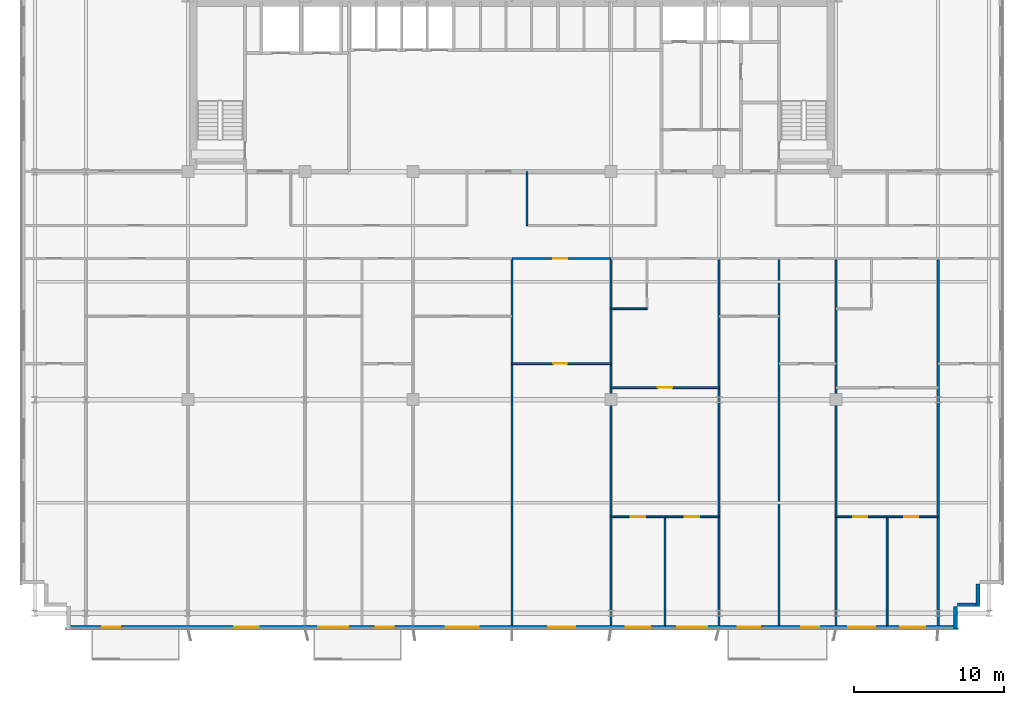
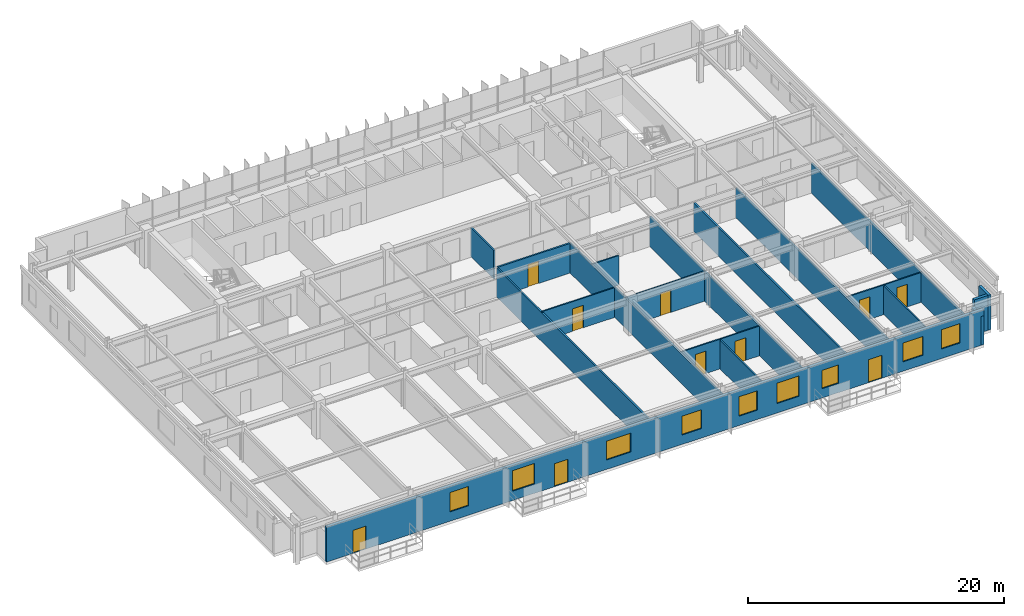
# One storey, part 15 of 21: 21 walls, 10 doors, 9 windows, 19 openings.
"""IFC4 building model written with IfcOpenShell, lengths in metres."""

import ifcopenshell
import ifcopenshell.guid

model = None  # the IFC model being written
_history = None  # IfcOwnerHistory: only IFC2X3 demands one
_inside = {}  # id of a spatial element -> (the spatial element, [elements in it])
_under = {}  # id of a project, library or spatial element -> (it, [spatial elements below it])
_declared = {}  # id of a project -> (the project, [libraries it declares])
_typed = {}  # id of a type object -> (the type object, [elements of that type])
_made_of = {}  # id of a material, layer set ... -> (it, [elements and type objects made of it])


def new_model(schema):
    """Start an empty IFC model of exactly this schema.

    Asked for "IFC4X3", IfcOpenShell would pick the latest addendum, in which some entities
    have other attributes; the version numbers below select the first issue.
    IFC2X3 requires an IfcOwnerHistory on every rooted entity: one is made here for all.
    """
    global model, _history
    if schema == "IFC4X3":
        model = ifcopenshell.file(schema_version=(4, 3, 0, 0))
    else:
        model = ifcopenshell.file(schema=schema)
    _inside.clear()
    _under.clear()
    _declared.clear()
    _typed.clear()
    _made_of.clear()
    _history = None
    if model.schema == "IFC2X3":
        org = make("IfcOrganization", Name="unknown")
        user = make(
            "IfcPersonAndOrganization",
            ThePerson=make("IfcPerson", FamilyName="unknown"),
            TheOrganization=org,
        )
        app = make(
            "IfcApplication",
            ApplicationDeveloper=org,
            Version="unknown",
            ApplicationFullName="unknown",
            ApplicationIdentifier="unknown",
        )
        _history = make(
            "IfcOwnerHistory",
            OwningUser=user,
            OwningApplication=app,
            ChangeAction="ADDED",
            CreationDate=0,
        )
    return model


def make(cls, **values):
    """One entity of the class cls with the attributes given. An attribute that is None is left unset."""
    return model.create_entity(
        cls, **{name: value for name, value in values.items() if value is not None}
    )


def rooted(cls, **values):
    """An entity with a GlobalId (a new one), such as an element, a storey or a relation."""
    return make(cls, GlobalId=ifcopenshell.guid.new(), OwnerHistory=_history, **values)


def si_unit(unit_type, name, prefix=None):
    """IfcSIUnit, for example si_unit("LENGTHUNIT", "METRE", prefix="MILLI")."""
    return make("IfcSIUnit", UnitType=unit_type, Prefix=prefix, Name=name)


def assignment(units):
    """IfcUnitAssignment: the units of a project."""
    return None if units is None else make("IfcUnitAssignment", Units=units)


def point(xyz):
    """IfcCartesianPoint."""
    return None if xyz is None else make("IfcCartesianPoint", Coordinates=xyz)


def direction(xyz):
    """IfcDirection."""
    return None if xyz is None else make("IfcDirection", DirectionRatios=xyz)


def frame(location, z_axis=None, x_axis=None):
    """IfcAxis2Placement3D, a coordinate frame: its origin and axes. An axis left out is left unset."""
    return make(
        "IfcAxis2Placement3D",
        Location=point(location),
        Axis=direction(z_axis),
        RefDirection=direction(x_axis),
    )


def frame_2d(location, x_axis=None):
    """IfcAxis2Placement2D, a coordinate frame in the plane: its origin and x axis."""
    return make(
        "IfcAxis2Placement2D", Location=point(location), RefDirection=direction(x_axis)
    )


def origin():
    """The frame at (0, 0, 0) with its axes left unset."""
    return frame((0.0, 0.0, 0.0))


def place(relative_to, where):
    """IfcLocalPlacement: puts the frame where relative to a parent placement (None: the world)."""
    return make(
        "IfcLocalPlacement", PlacementRelTo=relative_to, RelativePlacement=where
    )


def context(
    kind, dimensions, precision=None, world=None, true_north=None, identifier=None
):
    """IfcGeometricRepresentationContext, for example the 3D "Model" context."""
    return make(
        "IfcGeometricRepresentationContext",
        ContextIdentifier=identifier,
        ContextType=kind,
        CoordinateSpaceDimension=dimensions,
        Precision=precision,
        WorldCoordinateSystem=world,
        TrueNorth=true_north,
    )


def subcontext(parent, identifier, kind, view, scale=None):
    """IfcGeometricRepresentationSubContext, for example "Body" below "Model"."""
    return make(
        "IfcGeometricRepresentationSubContext",
        ContextIdentifier=identifier,
        ContextType=kind,
        ParentContext=parent,
        TargetScale=scale,
        TargetView=view,
    )


def project(units=None, contexts=None):
    """IfcProject with its units and contexts."""
    return rooted(
        "IfcProject",
        Name="project",
        RepresentationContexts=contexts,
        UnitsInContext=assignment(units),
    )


def spatial(cls, under=None, at=None, **own):
    """A site, building, storey or space (cls), placed at a placement, below another one or the project."""
    s = rooted(cls, ObjectPlacement=at, **own)
    if under is not None:
        _under.setdefault(under.id(), (under, []))[1].append(s)
    return s


def profile(cls, at=None, kind="AREA", **sizes):
    """A parametric profile (cls). Its sizes go by their IFC names, for example OverallWidth=200.0."""
    return make(cls, ProfileType=kind, Position=at, **sizes)


def rectangle(**sizes):
    """IfcRectangleProfileDef."""
    return profile("IfcRectangleProfileDef", **sizes)


def extrude(swept, where, along, depth):
    """IfcExtrudedAreaSolid: the profile swept, set in the frame where, extruded along a direction by depth."""
    return make(
        "IfcExtrudedAreaSolid",
        SweptArea=swept,
        Position=where,
        ExtrudedDirection=direction(along),
        Depth=depth,
    )


def shape(context_of_items, identifier, shape_type, items):
    """IfcShapeRepresentation: the items that make up one representation, for example the "Body"."""
    return make(
        "IfcShapeRepresentation",
        ContextOfItems=context_of_items,
        RepresentationIdentifier=identifier,
        RepresentationType=shape_type,
        Items=items,
    )


def source(mapping_origin, context_of_items, identifier, shape_type, items):
    """IfcRepresentationMap: a shape defined once, which mapped items show again and again."""
    return make(
        "IfcRepresentationMap",
        MappingOrigin=mapping_origin,
        MappedRepresentation=shape(context_of_items, identifier, shape_type, items),
    )


def transform(
    local_origin,
    x_axis=None,
    y_axis=None,
    z_axis=None,
    scale=None,
    scale2=None,
    scale3=None,
    uniform=True,
):
    """IfcCartesianTransformationOperator3D, or its non-uniform kind. x_axis, y_axis, z_axis: its Axis1, 2, 3."""
    if uniform:
        return make(
            "IfcCartesianTransformationOperator3D",
            Axis1=direction(x_axis),
            Axis2=direction(y_axis),
            LocalOrigin=point(local_origin),
            Scale=scale,
            Axis3=direction(z_axis),
        )
    return make(
        "IfcCartesianTransformationOperator3DnonUniform",
        Axis1=direction(x_axis),
        Axis2=direction(y_axis),
        LocalOrigin=point(local_origin),
        Scale=scale,
        Axis3=direction(z_axis),
        Scale2=scale2,
        Scale3=scale3,
    )


def mapped(mapping_source, mapping_target):
    """IfcMappedItem: shows the shape of a source again, moved by a transform."""
    return make(
        "IfcMappedItem", MappingSource=mapping_source, MappingTarget=mapping_target
    )


def material(Name=None, Category=None):
    """IfcMaterial."""
    return make("IfcMaterial", Name=Name, Category=Category)


def layer(
    of_material, thickness, ventilated=None, Name=None, Category=None, Priority=None
):
    """IfcMaterialLayer: one layer of a wall or slab, of a material (None: an air gap)."""
    return make(
        "IfcMaterialLayer",
        Material=of_material,
        LayerThickness=thickness,
        IsVentilated=ventilated,
        Name=Name,
        Category=Category,
        Priority=Priority,
    )


def layer_set(layers, Name=None):
    """IfcMaterialLayerSet."""
    return make("IfcMaterialLayerSet", MaterialLayers=layers, LayerSetName=Name)


def made_of(thing, what):
    """Note that an element or type object is made of a material, layer set ...; save() writes the relation."""
    if what is not None:
        _made_of.setdefault(what.id(), (what, []))[1].append(thing)
    return thing


def type_object(cls, material=None, **own):
    """A type object (cls), such as IfcWallType, which elements share."""
    return made_of(rooted(cls, **own), material)


def element(
    cls,
    number,
    at=None,
    inside=None,
    cuts=None,
    type_object=None,
    material=None,
    context=None,
    identifier="Body",
    shape_type=None,
    held_by="IfcProductDefinitionShape",
    body=None,
    shapes=None,
    **own,
):
    """One element of the class cls, such as IfcWall. Its Tag is "e" and its number.

    at: its placement. inside: the storey or other place that contains it. cuts: it is an
    opening in that element (IfcRelVoidsElement). A single representation is given by context,
    identifier, shape_type and body (its items); several are given by shapes. held_by: the class
    of the entity that holds the representations. save() writes the other relations.
    """
    e = rooted(cls, Tag="e%d" % number, ObjectPlacement=at, **own)
    if body is not None:
        shapes = [shape(context, identifier, shape_type, body)]
    if shapes is not None:
        e.Representation = make(held_by, Representations=shapes)
    if inside is not None:
        _inside.setdefault(inside.id(), (inside, []))[1].append(e)
    if cuts is not None:
        rooted(
            "IfcRelVoidsElement", RelatingBuildingElement=cuts, RelatedOpeningElement=e
        )
    if type_object is not None:
        _typed.setdefault(type_object.id(), (type_object, []))[1].append(e)
    return made_of(e, material)


def fill(opening, filler):
    """IfcRelFillsElement: the door or window that sits in an opening."""
    return rooted(
        "IfcRelFillsElement",
        RelatingOpeningElement=opening,
        RelatedBuildingElement=filler,
    )


def aggregate(whole, parts):
    """IfcRelAggregates: a whole, such as a stair, and the parts it consists of."""
    return rooted("IfcRelAggregates", RelatingObject=whole, RelatedObjects=parts)


def save(model, path):
    """Write the relations noted so far, then the file.

    IfcRelAggregates (storeys below a building ...), IfcRelContainedInSpatialStructure (elements
    in a storey), IfcRelDefinesByType, IfcRelAssociatesMaterial and IfcRelDeclares: one each for
    every whole, place, type object, material and project.
    """
    for whole, parts in _under.values():
        aggregate(whole, parts)
    for where, things in _inside.values():
        rooted(
            "IfcRelContainedInSpatialStructure",
            RelatedElements=things,
            RelatingStructure=where,
        )
    for kind, things in _typed.values():
        rooted("IfcRelDefinesByType", RelatedObjects=things, RelatingType=kind)
    for what, things in _made_of.values():
        rooted("IfcRelAssociatesMaterial", RelatedObjects=things, RelatingMaterial=what)
    for by, libraries in _declared.values():
        rooted("IfcRelDeclares", RelatingContext=by, RelatedDefinitions=libraries)
    model.write(path)


model = new_model("IFC4")

# Units and contexts
model_context = context("Model", 3, precision=1e-05, world=origin(), true_north=direction((0.0, 1.0)))
body_context = subcontext(model_context, "Body", "Model", "MODEL_VIEW")
ifc_project = project(units=[si_unit("LENGTHUNIT", "METRE"), si_unit("AREAUNIT", "SQUARE_METRE"), si_unit("VOLUMEUNIT", "CUBIC_METRE"), si_unit("PLANEANGLEUNIT", "RADIAN"), si_unit("MASSUNIT", "GRAM", prefix="KILO")], contexts=[model_context])

# Site, building, storey
site_placement = place(None, origin())
site = spatial("IfcSite", under=ifc_project, at=site_placement, CompositionType="ELEMENT")
building_placement = place(site_placement, origin())
building = spatial("IfcBuilding", under=site, at=building_placement, Name="Trelvane Seafront Commons", CompositionType="ELEMENT")
storey_placement = place(building_placement, frame((0.0, 0.0, 110.5)))
storey = spatial("IfcBuildingStorey", under=building, at=storey_placement, Name="L28", CompositionType="ELEMENT", Elevation=110.5)

# Walls
ifc_material_1 = material(Name="Precast concrete C40/50", Category="concrete")
ifc_layer_1 = layer(ifc_material_1, 0.260009765625, Name="ARCH-WALL-EXT260")
ifc_layer_set_1 = layer_set([ifc_layer_1], Name="Precast concrete C40/50")
wall_type_1 = type_object("IfcWallType", Name="ARCH-WALL-EXT260", PredefinedType="SOLIDWALL", material=ifc_layer_set_1)
for number, where, z_axis, x_axis, name in (
    (1, (68.27001953125, 5.89990234375, 0.0), (0.0, 0.0, 1.0), (0.0, -1.0, 0.0), "EW-L28-00533"),
    (2, (68.39990234375, 4.530029296875, 0.0), (0.0, 0.0, 1.0), (-1.0, 0.0, 0.0), "EW-L28-00534"),
):
    element("IfcWall", number, at=place(storey_placement, frame(where, z_axis=z_axis, x_axis=x_axis)), inside=storey, type_object=wall_type_1, Name=name, PredefinedType="SOLIDWALL", context=body_context, shape_type="SweptSolid", body=[
        extrude(rectangle(XDim=1.5, YDim=0.260009765625, at=frame_2d((0.75, 0.0))), origin(), (0.0, 0.0, 1.0), 3.340087890625),
    ])
wall_1_placement = place(storey_placement, frame((66.77001953125, 4.39990234375, 0.0), z_axis=(0.0, 0.0, 1.0), x_axis=(0.0, -1.0, 0.0)))
element("IfcWall", 3, at=wall_1_placement, inside=storey, type_object=wall_type_1, Name="EW-L28-00535", PredefinedType="SOLIDWALL", context=body_context, shape_type="SweptSolid", body=[
    extrude(rectangle(XDim=1.5, YDim=0.260009765625, at=frame_2d((0.75, 0.0))), origin(), (0.0, 0.0, 1.0), 2.751953125),
])

# Wall, openings, doors, windows
wall_2_placement = place(storey_placement, frame((66.89990234375, 3.030029296875, 0.0), z_axis=(0.0, 0.0, 1.0), x_axis=(-1.0, 0.0, 0.0)))
wall_2 = element("IfcWall", 4, at=wall_2_placement, inside=storey, type_object=wall_type_1, Name="EW-L28-00536", PredefinedType="SOLIDWALL", context=body_context, shape_type="SweptSolid", body=[
    extrude(rectangle(XDim=59.39990234375, YDim=0.260009765625, at=frame_2d((29.699951171875, 0.0))), origin(), (0.0, 0.0, 1.0), 3.340087890625),
])
opening_1_placement = place(wall_2_placement, frame((2.175048828125, 0.0, 0.89990234375)))
opening_1 = element("IfcOpeningElement", 5, at=opening_1_placement, cuts=wall_2, Name="Opening W07", PredefinedType="OPENING", context=body_context, shape_type="SweptSolid", body=[
    extrude(rectangle(XDim=1.64990234375, YDim=1.85009765625, at=frame_2d((0.824951171875, 0.925048828125))), frame((0.0, 0.139892578125, 0.0), z_axis=(0.0, -1.0, 0.0), x_axis=(1.0, 0.0, 0.0)), (0.0, 0.0, 1.0), 0.280029296875),
])
opening_2_placement = place(wall_2_placement, frame((5.5, 0.0, 0.89990234375)))
opening_2 = element("IfcOpeningElement", 6, at=opening_2_placement, cuts=wall_2, Name="Opening W01", PredefinedType="OPENING", context=body_context, shape_type="SweptSolid", body=[
    extrude(rectangle(XDim=1.800048828125, YDim=1.800048828125, at=frame_2d((0.89990234375, 0.89990234375))), frame((0.0, 0.139892578125, 0.0), z_axis=(0.0, -1.0, 0.0), x_axis=(1.0, 0.0, 0.0)), (0.0, 0.0, 1.0), 0.280029296875),
])
opening_3_placement = place(wall_2_placement, frame((9.212890625, 0.0, 0.0)))
opening_3 = element("IfcOpeningElement", 7, at=opening_3_placement, cuts=wall_2, Name="Opening BD-L28-67", PredefinedType="OPENING", context=body_context, shape_type="SweptSolid", body=[
    extrude(rectangle(XDim=1.199951171875, YDim=2.199951171875, at=frame_2d((0.60009765625, 1.10009765625))), frame((0.0, 0.139892578125, 0.0), z_axis=(0.0, -1.0, 0.0), x_axis=(1.0, 0.0, 0.0)), (0.0, 0.0, 1.0), 0.280029296875),
])
opening_4_placement = place(wall_2_placement, frame((13.14990234375, 0.0, 0.89990234375)))
opening_4 = element("IfcOpeningElement", 8, at=opening_4_placement, cuts=wall_2, Name="Opening W03", PredefinedType="OPENING", context=body_context, shape_type="SweptSolid", body=[
    extrude(rectangle(XDim=1.5, YDim=1.75, at=frame_2d((0.75, 0.875))), frame((0.0, 0.139892578125, 0.0), z_axis=(0.0, -1.0, 0.0), x_axis=(1.0, 0.0, 0.0)), (0.0, 0.0, 1.0), 0.280029296875),
])
opening_5_placement = place(wall_2_placement, frame((16.699951171875, 0.0, 0.89990234375)))
opening_5 = element("IfcOpeningElement", 9, at=opening_5_placement, cuts=wall_2, Name="Opening W06", PredefinedType="OPENING", context=body_context, shape_type="SweptSolid", body=[
    extrude(rectangle(XDim=2.0, YDim=1.949951171875, at=frame_2d((1.0, 0.97509765625))), frame((0.0, 0.139892578125, 0.0), z_axis=(0.0, -1.0, 0.0), x_axis=(1.0, 0.0, 0.0)), (0.0, 0.0, 1.0), 0.280029296875),
])
opening_6_placement = place(wall_2_placement, frame((20.47509765625, 0.0, 0.89990234375)))
opening_6 = element("IfcOpeningElement", 10, at=opening_6_placement, cuts=wall_2, Name="Opening W07", PredefinedType="OPENING", context=body_context, shape_type="SweptSolid", body=[
    extrude(rectangle(XDim=1.64990234375, YDim=1.85009765625, at=frame_2d((0.824951171875, 0.925048828125))), frame((0.0, 0.139892578125, 0.0), z_axis=(0.0, -1.0, 0.0), x_axis=(1.0, 0.0, 0.0)), (0.0, 0.0, 1.0), 0.280029296875),
])
opening_7_placement = place(wall_2_placement, frame((25.5, 0.0, 0.89990234375)))
opening_7 = element("IfcOpeningElement", 11, at=opening_7_placement, cuts=wall_2, Name="Opening W01", PredefinedType="OPENING", context=body_context, shape_type="SweptSolid", body=[
    extrude(rectangle(XDim=1.800048828125, YDim=1.800048828125, at=frame_2d((0.89990234375, 0.89990234375))), frame((0.0, 0.139892578125, 0.0), z_axis=(0.0, -1.0, 0.0), x_axis=(1.0, 0.0, 0.0)), (0.0, 0.0, 1.0), 0.280029296875),
])
opening_8_placement = place(wall_2_placement, frame((31.89990234375, 0.0, 0.89990234375)))
opening_8 = element("IfcOpeningElement", 12, at=opening_8_placement, cuts=wall_2, Name="Opening W02", PredefinedType="OPENING", context=body_context, shape_type="SweptSolid", body=[
    extrude(rectangle(XDim=2.199951171875, YDim=1.800048828125, at=frame_2d((1.10009765625, 0.89990234375))), frame((0.0, 0.139892578125, 0.0), z_axis=(0.0, -1.0, 0.0), x_axis=(1.0, 0.0, 0.0)), (0.0, 0.0, 1.0), 0.280029296875),
])
opening_9_placement = place(wall_2_placement, frame((37.583984375, 0.0, 0.0)))
opening_9 = element("IfcOpeningElement", 13, at=opening_9_placement, cuts=wall_2, Name="Opening BD-L28-68", PredefinedType="OPENING", context=body_context, shape_type="SweptSolid", body=[
    extrude(rectangle(XDim=1.199951171875, YDim=2.199951171875, at=frame_2d((0.60009765625, 1.10009765625))), frame((0.0, 0.139892578125, 0.0), z_axis=(0.0, -1.0, 0.0), x_axis=(1.0, 0.0, 0.0)), (0.0, 0.0, 1.0), 0.280029296875),
])
opening_10_placement = place(wall_2_placement, frame((40.60009765625, 0.0, 0.89990234375)))
opening_10 = element("IfcOpeningElement", 14, at=opening_10_placement, cuts=wall_2, Name="Opening W06", PredefinedType="OPENING", context=body_context, shape_type="SweptSolid", body=[
    extrude(rectangle(XDim=2.0, YDim=1.949951171875, at=frame_2d((1.0, 0.97509765625))), frame((0.0, 0.139892578125, 0.0), z_axis=(0.0, -1.0, 0.0), x_axis=(1.0, 0.0, 0.0)), (0.0, 0.0, 1.0), 0.280029296875),
])
opening_11_placement = place(wall_2_placement, frame((46.574951171875, 0.0, 0.89990234375)))
opening_11 = element("IfcOpeningElement", 15, at=opening_11_placement, cuts=wall_2, Name="Opening W07", PredefinedType="OPENING", context=body_context, shape_type="SweptSolid", body=[
    extrude(rectangle(XDim=1.64990234375, YDim=1.85009765625, at=frame_2d((0.824951171875, 0.925048828125))), frame((0.0, 0.139892578125, 0.0), z_axis=(0.0, -1.0, 0.0), x_axis=(1.0, 0.0, 0.0)), (0.0, 0.0, 1.0), 0.280029296875),
])
opening_12_placement = place(wall_2_placement, frame((55.81689453125, 0.0, 0.0)))
opening_12 = element("IfcOpeningElement", 16, at=opening_12_placement, cuts=wall_2, Name="Opening BD-L28-69", PredefinedType="OPENING", context=body_context, shape_type="SweptSolid", body=[
    extrude(rectangle(XDim=1.199951171875, YDim=2.199951171875, at=frame_2d((0.60009765625, 1.10009765625))), frame((0.0, 0.139892578125, 0.0), z_axis=(0.0, -1.0, 0.0), x_axis=(1.0, 0.0, 0.0)), (0.0, 0.0, 1.0), 0.280029296875),
])
ifc_material_2 = material(Name="Powder-coated aluminium frame", Category="aluminium")
door_type_1 = type_object("IfcDoorType", Name="ARCH-DR-BAL1200", OperationType="NOTDEFINED", PredefinedType="DOOR", material=ifc_material_2)
shared_shape_1 = source(origin(), body_context, "Body", "SweptSolid", [
    extrude(rectangle(XDim=1.199951171875, YDim=2.199951171875, at=frame_2d((0.60009765625, 1.10009765625))), frame((0.0, 0.02490234375, 0.0), z_axis=(0.0, -1.0, 0.0), x_axis=(1.0, 0.0, 0.0)), (0.0, 0.0, 1.0), 0.050048828125),
])
door_1_placement = place(opening_3_placement, origin())
door_1 = element("IfcDoor", 17, at=door_1_placement, inside=storey, type_object=door_type_1, Name="L28 Balcony Terrace Access Door", OperationType="SINGLE_SWING_LEFT", OverallHeight=2.199951171875, OverallWidth=1.199951171875, PredefinedType="DOOR", context=body_context, shape_type="MappedRepresentation", body=[
    mapped(shared_shape_1, transform((0.0, 0.0, 0.0), x_axis=(1.0, 0.0, 0.0), y_axis=(0.0, 1.0, 0.0), z_axis=(0.0, 0.0, 1.0), scale=1.0)),
])
fill(opening_3, door_1)
door_2_placement = place(opening_9_placement, origin())
door_2 = element("IfcDoor", 18, at=door_2_placement, inside=storey, type_object=door_type_1, Name="L28 Balcony Terrace Access Door", OperationType="SINGLE_SWING_LEFT", OverallHeight=2.199951171875, OverallWidth=1.199951171875, PredefinedType="DOOR", context=body_context, shape_type="MappedRepresentation", body=[
    mapped(shared_shape_1, transform((0.0, 0.0, 0.0), x_axis=(1.0, 0.0, 0.0), y_axis=(0.0, 1.0, 0.0), z_axis=(0.0, 0.0, 1.0), scale=1.0)),
])
fill(opening_9, door_2)
door_3_placement = place(opening_12_placement, origin())
door_3 = element("IfcDoor", 19, at=door_3_placement, inside=storey, type_object=door_type_1, Name="L28 Balcony Terrace Access Door", OperationType="SINGLE_SWING_LEFT", OverallHeight=2.199951171875, OverallWidth=1.199951171875, PredefinedType="DOOR", context=body_context, shape_type="MappedRepresentation", body=[
    mapped(shared_shape_1, transform((0.0, 0.0, 0.0), x_axis=(1.0, 0.0, 0.0), y_axis=(0.0, 1.0, 0.0), z_axis=(0.0, 0.0, 1.0), scale=1.0)),
])
fill(opening_12, door_3)
ifc_material_3 = material(Name="Low-E coastal double glazing", Category="glass")
window_type_1 = type_object("IfcWindowType", Name="ARCH-WIN-W02", PartitioningType="SINGLE_PANEL", PredefinedType="WINDOW", material=ifc_material_3)
shared_shape_2 = source(origin(), body_context, "Body", "SweptSolid", [
    extrude(rectangle(XDim=2.199951171875, YDim=1.800048828125, at=frame_2d((1.10009765625, 0.89990234375))), frame((0.0, 0.030029296875, 0.0), z_axis=(0.0, -1.0, 0.0), x_axis=(1.0, 0.0, 0.0)), (0.0, 0.0, 1.0), 0.06005859375),
])
window_1_placement = place(opening_8_placement, origin())
window_1 = element("IfcWindow", 20, at=window_1_placement, inside=storey, type_object=window_type_1, Name="WIN-L28-00632", OverallHeight=1.800048828125, OverallWidth=2.199951171875, PartitioningType="SINGLE_PANEL", PredefinedType="WINDOW", context=body_context, shape_type="MappedRepresentation", body=[
    mapped(shared_shape_2, transform((0.0, 0.0, 0.0), x_axis=(1.0, 0.0, 0.0), y_axis=(0.0, 1.0, 0.0), z_axis=(0.0, 0.0, 1.0), scale=1.0)),
])
fill(opening_8, window_1)
window_type_2 = type_object("IfcWindowType", Name="ARCH-WIN-W03", PartitioningType="SINGLE_PANEL", PredefinedType="WINDOW", material=ifc_material_3)
shared_shape_3 = source(origin(), body_context, "Body", "SweptSolid", [
    extrude(rectangle(XDim=1.5, YDim=1.75, at=frame_2d((0.75, 0.875))), frame((0.0, 0.030029296875, 0.0), z_axis=(0.0, -1.0, 0.0), x_axis=(1.0, 0.0, 0.0)), (0.0, 0.0, 1.0), 0.06005859375),
])
window_2_placement = place(opening_4_placement, origin())
window_2 = element("IfcWindow", 21, at=window_2_placement, inside=storey, type_object=window_type_2, Name="WIN-L28-00628", OverallHeight=1.75, OverallWidth=1.5, PartitioningType="SINGLE_PANEL", PredefinedType="WINDOW", context=body_context, shape_type="MappedRepresentation", body=[
    mapped(shared_shape_3, transform((0.0, 0.0, 0.0), x_axis=(1.0, 0.0, 0.0), y_axis=(0.0, 1.0, 0.0), z_axis=(0.0, 0.0, 1.0), scale=1.0)),
])
fill(opening_4, window_2)
window_type_3 = type_object("IfcWindowType", Name="ARCH-WIN-W06", PartitioningType="SINGLE_PANEL", PredefinedType="WINDOW", material=ifc_material_3)
shared_shape_4 = source(origin(), body_context, "Body", "SweptSolid", [
    extrude(rectangle(XDim=2.0, YDim=1.949951171875, at=frame_2d((1.0, 0.97509765625))), frame((0.0, 0.030029296875, 0.0), z_axis=(0.0, -1.0, 0.0), x_axis=(1.0, 0.0, 0.0)), (0.0, 0.0, 1.0), 0.06005859375),
])
window_3_placement = place(opening_5_placement, origin())
window_3 = element("IfcWindow", 22, at=window_3_placement, inside=storey, type_object=window_type_3, Name="WIN-L28-00629", OverallHeight=1.949951171875, OverallWidth=2.0, PartitioningType="SINGLE_PANEL", PredefinedType="WINDOW", context=body_context, shape_type="MappedRepresentation", body=[
    mapped(shared_shape_4, transform((0.0, 0.0, 0.0), x_axis=(1.0, 0.0, 0.0), y_axis=(0.0, 1.0, 0.0), z_axis=(0.0, 0.0, 1.0), scale=1.0)),
])
fill(opening_5, window_3)
window_4_placement = place(opening_10_placement, origin())
window_4 = element("IfcWindow", 23, at=window_4_placement, inside=storey, type_object=window_type_3, Name="WIN-L28-00633", OverallHeight=1.949951171875, OverallWidth=2.0, PartitioningType="SINGLE_PANEL", PredefinedType="WINDOW", context=body_context, shape_type="MappedRepresentation", body=[
    mapped(shared_shape_4, transform((0.0, 0.0, 0.0), x_axis=(1.0, 0.0, 0.0), y_axis=(0.0, 1.0, 0.0), z_axis=(0.0, 0.0, 1.0), scale=1.0)),
])
fill(opening_10, window_4)
window_type_4 = type_object("IfcWindowType", Name="ARCH-WIN-W01", PartitioningType="SINGLE_PANEL", PredefinedType="WINDOW", material=ifc_material_3)
shared_shape_5 = source(origin(), body_context, "Body", "SweptSolid", [
    extrude(rectangle(XDim=1.800048828125, YDim=1.800048828125, at=frame_2d((0.89990234375, 0.89990234375))), frame((0.0, 0.030029296875, 0.0), z_axis=(0.0, -1.0, 0.0), x_axis=(1.0, 0.0, 0.0)), (0.0, 0.0, 1.0), 0.06005859375),
])
window_5_placement = place(opening_2_placement, origin())
window_5 = element("IfcWindow", 24, at=window_5_placement, inside=storey, type_object=window_type_4, Name="WIN-L28-00627", OverallHeight=1.800048828125, OverallWidth=1.800048828125, PartitioningType="SINGLE_PANEL", PredefinedType="WINDOW", context=body_context, shape_type="MappedRepresentation", body=[
    mapped(shared_shape_5, transform((0.0, 0.0, 0.0), x_axis=(1.0, 0.0, 0.0), y_axis=(0.0, 1.0, 0.0), z_axis=(0.0, 0.0, 1.0), scale=1.0)),
])
fill(opening_2, window_5)
window_6_placement = place(opening_7_placement, origin())
window_6 = element("IfcWindow", 25, at=window_6_placement, inside=storey, type_object=window_type_4, Name="WIN-L28-00631", OverallHeight=1.800048828125, OverallWidth=1.800048828125, PartitioningType="SINGLE_PANEL", PredefinedType="WINDOW", context=body_context, shape_type="MappedRepresentation", body=[
    mapped(shared_shape_5, transform((0.0, 0.0, 0.0), x_axis=(1.0, 0.0, 0.0), y_axis=(0.0, 1.0, 0.0), z_axis=(0.0, 0.0, 1.0), scale=1.0)),
])
fill(opening_7, window_6)
window_type_5 = type_object("IfcWindowType", Name="ARCH-WIN-W07", PartitioningType="SINGLE_PANEL", PredefinedType="WINDOW", material=ifc_material_3)
shared_shape_6 = source(origin(), body_context, "Body", "SweptSolid", [
    extrude(rectangle(XDim=1.64990234375, YDim=1.85009765625, at=frame_2d((0.824951171875, 0.925048828125))), frame((0.0, 0.030029296875, 0.0), z_axis=(0.0, -1.0, 0.0), x_axis=(1.0, 0.0, 0.0)), (0.0, 0.0, 1.0), 0.06005859375),
])
window_7_placement = place(opening_1_placement, origin())
window_7 = element("IfcWindow", 26, at=window_7_placement, inside=storey, type_object=window_type_5, Name="WIN-L28-00626", OverallHeight=1.85009765625, OverallWidth=1.64990234375, PartitioningType="SINGLE_PANEL", PredefinedType="WINDOW", context=body_context, shape_type="MappedRepresentation", body=[
    mapped(shared_shape_6, transform((0.0, 0.0, 0.0), x_axis=(1.0, 0.0, 0.0), y_axis=(0.0, 1.0, 0.0), z_axis=(0.0, 0.0, 1.0), scale=1.0)),
])
fill(opening_1, window_7)
window_8_placement = place(opening_6_placement, origin())
window_8 = element("IfcWindow", 27, at=window_8_placement, inside=storey, type_object=window_type_5, Name="WIN-L28-00630", OverallHeight=1.85009765625, OverallWidth=1.64990234375, PartitioningType="SINGLE_PANEL", PredefinedType="WINDOW", context=body_context, shape_type="MappedRepresentation", body=[
    mapped(shared_shape_6, transform((0.0, 0.0, 0.0), x_axis=(1.0, 0.0, 0.0), y_axis=(0.0, 1.0, 0.0), z_axis=(0.0, 0.0, 1.0), scale=1.0)),
])
fill(opening_6, window_8)
window_9_placement = place(opening_11_placement, origin())
window_9 = element("IfcWindow", 28, at=window_9_placement, inside=storey, type_object=window_type_5, Name="WIN-L28-00634", OverallHeight=1.85009765625, OverallWidth=1.64990234375, PartitioningType="SINGLE_PANEL", PredefinedType="WINDOW", context=body_context, shape_type="MappedRepresentation", body=[
    mapped(shared_shape_6, transform((0.0, 0.0, 0.0), x_axis=(1.0, 0.0, 0.0), y_axis=(0.0, 1.0, 0.0), z_axis=(0.0, 0.0, 1.0), scale=1.0)),
])
fill(opening_11, window_9)

# Wall
ifc_material_4 = material(Name="Gypsum Drywall Acoustic Partition")
ifc_layer_2 = layer(ifc_material_4, 0.1201171875, Name="ARCH-WALL-PART120")
ifc_layer_set_2 = layer_set([ifc_layer_2], Name="Gypsum Drywall Acoustic Partition")
wall_type_2 = type_object("IfcWallType", Name="ARCH-WALL-PART120", PredefinedType="PARTITIONING", material=ifc_layer_set_2)
wall_3_placement = place(storey_placement, frame((38.199951171875, 29.800048828125, 0.0), z_axis=(0.0, 0.0, 1.0), x_axis=(0.0, 1.0, 0.0)))
element("IfcWall", 29, at=wall_3_placement, inside=storey, type_object=wall_type_2, Name="W-L28-N-SPUR-M2-046", PredefinedType="PARTITIONING", context=body_context, shape_type="SweptSolid", body=[
    extrude(rectangle(XDim=3.599853515625, YDim=0.1201171875, at=frame_2d((1.7998046875, 0.0))), origin(), (0.0, 0.0, 1.0), 2.751953125),
])

# Wall, opening, door
wall_4_placement = place(storey_placement, frame((37.199951171875, 20.60009765625, 0.0), z_axis=(0.0, 0.0, 1.0), x_axis=(1.0, 0.0, 0.0)))
wall_4 = element("IfcWall", 30, at=wall_4_placement, inside=storey, type_object=wall_type_2, Name="W-L28-U7-DIV-078", PredefinedType="PARTITIONING", context=body_context, shape_type="SweptSolid", body=[
    extrude(rectangle(XDim=6.60009765625, YDim=0.1201171875, at=frame_2d((3.300048828125, 0.0))), origin(), (0.0, 0.0, 1.0), 2.840087890625),
])
opening_13_placement = place(wall_4_placement, frame((2.73388671875, 0.0, 0.0)))
opening_13 = element("IfcOpeningElement", 31, at=opening_13_placement, cuts=wall_4, Name="Opening D-L28-41", PredefinedType="OPENING", context=body_context, shape_type="SweptSolid", body=[
    extrude(rectangle(XDim=0.949951171875, YDim=2.14990234375, at=frame_2d((0.47509765625, 1.074951171875))), frame((0.0, 0.070068359375, 0.0), z_axis=(0.0, -1.0, 0.0), x_axis=(1.0, 0.0, 0.0)), (0.0, 0.0, 1.0), 0.14013671875),
])
ifc_material_5 = material(Name="Acoustic timber door leaf", Category="wood")
door_type_2 = type_object("IfcDoorType", Name="ARCH-DR-INT950", OperationType="NOTDEFINED", PredefinedType="DOOR", material=ifc_material_5)
shared_shape_7 = source(origin(), body_context, "Body", "SweptSolid", [
    extrude(rectangle(XDim=0.949951171875, YDim=2.14990234375, at=frame_2d((0.47509765625, 1.074951171875))), frame((0.0, 0.02490234375, 0.0), z_axis=(0.0, -1.0, 0.0), x_axis=(1.0, 0.0, 0.0)), (0.0, 0.0, 1.0), 0.050048828125),
])
door_4_placement = place(opening_13_placement, origin())
door_4 = element("IfcDoor", 32, at=door_4_placement, inside=storey, type_object=door_type_2, Name="L28 Door 41", OperationType="SINGLE_SWING_LEFT", OverallHeight=2.14990234375, OverallWidth=0.949951171875, PredefinedType="DOOR", context=body_context, shape_type="MappedRepresentation", body=[
    mapped(shared_shape_7, transform((0.0, 0.0, 0.0), x_axis=(1.0, 0.0, 0.0), y_axis=(0.0, 1.0, 0.0), z_axis=(0.0, 0.0, 1.0), scale=1.0)),
])
fill(opening_13, door_4)

wall_5_placement = place(storey_placement, frame((43.800048828125, 19.0, 0.0), z_axis=(0.0, 0.0, 1.0), x_axis=(1.0, 0.0, 0.0)))
wall_5 = element("IfcWall", 33, at=wall_5_placement, inside=storey, type_object=wall_type_2, Name="W-L28-U8-KL-079", PredefinedType="PARTITIONING", context=body_context, shape_type="SweptSolid", body=[
    extrude(rectangle(XDim=7.199951171875, YDim=0.1201171875, at=frame_2d((3.60009765625, 0.0))), origin(), (0.0, 0.0, 1.0), 2.840087890625),
])
opening_14_placement = place(wall_5_placement, frame((3.125, 0.0, 0.0)))
opening_14 = element("IfcOpeningElement", 34, at=opening_14_placement, cuts=wall_5, Name="Opening D-L28-42", PredefinedType="OPENING", context=body_context, shape_type="SweptSolid", body=[
    extrude(rectangle(XDim=0.949951171875, YDim=2.14990234375, at=frame_2d((0.47509765625, 1.074951171875))), frame((0.0, 0.070068359375, 0.0), z_axis=(0.0, -1.0, 0.0), x_axis=(1.0, 0.0, 0.0)), (0.0, 0.0, 1.0), 0.14013671875),
])
door_5_placement = place(opening_14_placement, origin())
door_5 = element("IfcDoor", 35, at=door_5_placement, inside=storey, type_object=door_type_2, Name="L28 Door 42", OperationType="SINGLE_SWING_RIGHT", OverallHeight=2.14990234375, OverallWidth=0.949951171875, PredefinedType="DOOR", context=body_context, shape_type="MappedRepresentation", body=[
    mapped(shared_shape_7, transform((0.0, 0.0, 0.0), x_axis=(1.0, 0.0, 0.0), y_axis=(0.0, 1.0, 0.0), z_axis=(0.0, 0.0, 1.0), scale=1.0)),
])
fill(opening_14, door_5)

# Wall
wall_6_placement = place(storey_placement, frame((43.800048828125, 24.25, 0.0), z_axis=(0.0, 0.0, 1.0), x_axis=(1.0, 0.0, 0.0)))
element("IfcWall", 36, at=wall_6_placement, inside=storey, type_object=wall_type_2, Name="W-L28-U8-BS-081", PredefinedType="PARTITIONING", context=body_context, shape_type="SweptSolid", body=[
    extrude(rectangle(XDim=2.39990234375, YDim=0.1201171875, at=frame_2d((1.199951171875, 0.0))), origin(), (0.0, 0.0, 1.0), 2.840087890625),
])

# Wall, opening, door
wall_7_placement = place(storey_placement, frame((43.800048828125, 10.39990234375, 0.0), z_axis=(0.0, 0.0, 1.0), x_axis=(1.0, 0.0, 0.0)))
wall_7 = element("IfcWall", 37, at=wall_7_placement, inside=storey, type_object=wall_type_2, Name="W-L28-U8-YM-1-083", PredefinedType="PARTITIONING", context=body_context, shape_type="SweptSolid", body=[
    extrude(rectangle(XDim=3.599853515625, YDim=0.1201171875, at=frame_2d((1.7998046875, 0.0))), origin(), (0.0, 0.0, 1.0), 2.840087890625),
])
opening_15_placement = place(wall_7_placement, frame((1.324951171875, 0.0, 0.0)))
opening_15 = element("IfcOpeningElement", 38, at=opening_15_placement, cuts=wall_7, Name="Opening D-L28-45", PredefinedType="OPENING", context=body_context, shape_type="SweptSolid", body=[
    extrude(rectangle(XDim=0.949951171875, YDim=2.14990234375, at=frame_2d((0.47509765625, 1.074951171875))), frame((0.0, 0.070068359375, 0.0), z_axis=(0.0, -1.0, 0.0), x_axis=(1.0, 0.0, 0.0)), (0.0, 0.0, 1.0), 0.14013671875),
])
door_6_placement = place(opening_15_placement, origin())
door_6 = element("IfcDoor", 39, at=door_6_placement, inside=storey, type_object=door_type_2, Name="L28 Door 45", OperationType="SINGLE_SWING_LEFT", OverallHeight=2.14990234375, OverallWidth=0.949951171875, PredefinedType="DOOR", context=body_context, shape_type="MappedRepresentation", body=[
    mapped(shared_shape_7, transform((0.0, 0.0, 0.0), x_axis=(1.0, 0.0, 0.0), y_axis=(0.0, 1.0, 0.0), z_axis=(0.0, 0.0, 1.0), scale=1.0)),
])
fill(opening_15, door_6)

wall_8_placement = place(storey_placement, frame((47.39990234375, 10.39990234375, 0.0), z_axis=(0.0, 0.0, 1.0), x_axis=(1.0, 0.0, 0.0)))
wall_8 = element("IfcWall", 40, at=wall_8_placement, inside=storey, type_object=wall_type_2, Name="W-L28-U8-YM-2-084", PredefinedType="PARTITIONING", context=body_context, shape_type="SweptSolid", body=[
    extrude(rectangle(XDim=3.60009765625, YDim=0.1201171875, at=frame_2d((1.800048828125, 0.0))), origin(), (0.0, 0.0, 1.0), 2.840087890625),
])
opening_16_placement = place(wall_8_placement, frame((1.324951171875, 0.0, 0.0)))
opening_16 = element("IfcOpeningElement", 41, at=opening_16_placement, cuts=wall_8, Name="Opening D-L28-46", PredefinedType="OPENING", context=body_context, shape_type="SweptSolid", body=[
    extrude(rectangle(XDim=0.949951171875, YDim=2.14990234375, at=frame_2d((0.47509765625, 1.074951171875))), frame((0.0, 0.070068359375, 0.0), z_axis=(0.0, -1.0, 0.0), x_axis=(1.0, 0.0, 0.0)), (0.0, 0.0, 1.0), 0.14013671875),
])
door_7_placement = place(opening_16_placement, origin())
door_7 = element("IfcDoor", 42, at=door_7_placement, inside=storey, type_object=door_type_2, Name="L28 Door 46", OperationType="SINGLE_SWING_RIGHT", OverallHeight=2.14990234375, OverallWidth=0.949951171875, PredefinedType="DOOR", context=body_context, shape_type="MappedRepresentation", body=[
    mapped(shared_shape_7, transform((0.0, 0.0, 0.0), x_axis=(1.0, 0.0, 0.0), y_axis=(0.0, 1.0, 0.0), z_axis=(0.0, 0.0, 1.0), scale=1.0)),
])
fill(opening_16, door_7)

# Wall
wall_9_placement = place(storey_placement, frame((47.39990234375, 3.14501953125, 0.0), z_axis=(0.0, 0.0, 1.0), x_axis=(0.0, 1.0, 0.0)))
element("IfcWall", 43, at=wall_9_placement, inside=storey, type_object=wall_type_2, Name="W-L28-U8-BDV-1-085", PredefinedType="PARTITIONING", context=body_context, shape_type="SweptSolid", body=[
    extrude(rectangle(XDim=7.2548828125, YDim=0.1201171875, at=frame_2d((3.62744140625, 0.0))), origin(), (0.0, 0.0, 1.0), 2.751953125),
])

# Wall, opening, door
wall_10_placement = place(storey_placement, frame((58.800048828125, 10.39990234375, 0.0), z_axis=(0.0, 0.0, 1.0), x_axis=(1.0, 0.0, 0.0)))
wall_10 = element("IfcWall", 44, at=wall_10_placement, inside=storey, type_object=wall_type_2, Name="W-L28-U11-YM-1-094", PredefinedType="PARTITIONING", context=body_context, shape_type="SweptSolid", body=[
    extrude(rectangle(XDim=3.39990234375, YDim=0.1201171875, at=frame_2d((1.699951171875, 0.0))), origin(), (0.0, 0.0, 1.0), 2.840087890625),
])
opening_17_placement = place(wall_10_placement, frame((1.131103515625, 0.0, 0.0)))
opening_17 = element("IfcOpeningElement", 45, at=opening_17_placement, cuts=wall_10, Name="Opening D-L28-54", PredefinedType="OPENING", context=body_context, shape_type="SweptSolid", body=[
    extrude(rectangle(XDim=0.949951171875, YDim=2.14990234375, at=frame_2d((0.47509765625, 1.074951171875))), frame((0.0, 0.070068359375, 0.0), z_axis=(0.0, -1.0, 0.0), x_axis=(1.0, 0.0, 0.0)), (0.0, 0.0, 1.0), 0.14013671875),
])
door_8_placement = place(opening_17_placement, origin())
door_8 = element("IfcDoor", 46, at=door_8_placement, inside=storey, type_object=door_type_2, Name="L28 Door 54", OperationType="SINGLE_SWING_RIGHT", OverallHeight=2.14990234375, OverallWidth=0.949951171875, PredefinedType="DOOR", context=body_context, shape_type="MappedRepresentation", body=[
    mapped(shared_shape_7, transform((0.0, 0.0, 0.0), x_axis=(1.0, 0.0, 0.0), y_axis=(0.0, 1.0, 0.0), z_axis=(0.0, 0.0, 1.0), scale=1.0)),
])
fill(opening_17, door_8)

wall_11_placement = place(storey_placement, frame((62.199951171875, 10.39990234375, 0.0), z_axis=(0.0, 0.0, 1.0), x_axis=(1.0, 0.0, 0.0)))
wall_11 = element("IfcWall", 47, at=wall_11_placement, inside=storey, type_object=wall_type_2, Name="W-L28-U11-YM-2-095", PredefinedType="PARTITIONING", context=body_context, shape_type="SweptSolid", body=[
    extrude(rectangle(XDim=3.400146484375, YDim=0.1201171875, at=frame_2d((1.7001953125, 0.0))), origin(), (0.0, 0.0, 1.0), 2.840087890625),
])
opening_18_placement = place(wall_11_placement, frame((1.131103515625, 0.0, 0.0)))
opening_18 = element("IfcOpeningElement", 48, at=opening_18_placement, cuts=wall_11, Name="Opening D-L28-55", PredefinedType="OPENING", context=body_context, shape_type="SweptSolid", body=[
    extrude(rectangle(XDim=0.949951171875, YDim=2.14990234375, at=frame_2d((0.47509765625, 1.074951171875))), frame((0.0, 0.070068359375, 0.0), z_axis=(0.0, -1.0, 0.0), x_axis=(1.0, 0.0, 0.0)), (0.0, 0.0, 1.0), 0.14013671875),
])
door_9_placement = place(opening_18_placement, origin())
door_9 = element("IfcDoor", 49, at=door_9_placement, inside=storey, type_object=door_type_2, Name="L28 Door 55", OperationType="SINGLE_SWING_LEFT", OverallHeight=2.14990234375, OverallWidth=0.949951171875, PredefinedType="DOOR", context=body_context, shape_type="MappedRepresentation", body=[
    mapped(shared_shape_7, transform((0.0, 0.0, 0.0), x_axis=(1.0, 0.0, 0.0), y_axis=(0.0, 1.0, 0.0), z_axis=(0.0, 0.0, 1.0), scale=1.0)),
])
fill(opening_18, door_9)

# Walls
wall_12_placement = place(storey_placement, frame((62.199951171875, 3.14501953125, 0.0), z_axis=(0.0, 0.0, 1.0), x_axis=(0.0, 1.0, 0.0)))
element("IfcWall", 50, at=wall_12_placement, inside=storey, type_object=wall_type_2, Name="W-L28-U11-BDV-1-096", PredefinedType="PARTITIONING", context=body_context, shape_type="SweptSolid", body=[
    extrude(rectangle(XDim=7.2548828125, YDim=0.1201171875, at=frame_2d((3.62744140625, 0.0))), origin(), (0.0, 0.0, 1.0), 2.751953125),
])
ifc_layer_3 = layer(ifc_material_4, 0.14990234375, Name="ARCH-WALL-PART150")
ifc_layer_set_3 = layer_set([ifc_layer_3], Name="Gypsum Drywall Acoustic Partition")
wall_type_3 = type_object("IfcWallType", Name="ARCH-WALL-PART150", PredefinedType="PARTITIONING", material=ifc_layer_set_3)
wall_13_placement = place(storey_placement, frame((37.199951171875, 3.14501953125, 0.0), z_axis=(0.0, 0.0, 1.0), x_axis=(0.0, 1.0, 0.0)))
element("IfcWall", 51, at=wall_13_placement, inside=storey, type_object=wall_type_3, Name="W-L28-PW-6-059", PredefinedType="PARTITIONING", context=body_context, shape_type="SweptSolid", body=[
    extrude(rectangle(XDim=24.455078125, YDim=0.14990234375, at=frame_2d((12.2275390625, 0.0))), origin(), (0.0, 0.0, 1.0), 2.751953125),
])
for number, where, z_axis, x_axis, name in (
    (52, (43.800048828125, 3.14501953125, 0.0), (0.0, 0.0, 1.0), (0.0, 1.0, 0.0), "W-L28-PW-7-060"),
    (53, (51.0, 3.14501953125, 0.0), (0.0, 0.0, 1.0), (0.0, 1.0, 0.0), "W-L28-PW-8-061"),
):
    element("IfcWall", number, at=place(storey_placement, frame(where, z_axis=z_axis, x_axis=x_axis)), inside=storey, type_object=wall_type_3, Name=name, PredefinedType="PARTITIONING", context=body_context, shape_type="SweptSolid", body=[
        extrude(rectangle(XDim=24.455078125, YDim=0.14990234375, at=frame_2d((12.2275390625, 0.0))), origin(), (0.0, 0.0, 1.0), 2.840087890625),
    ])
wall_14_placement = place(storey_placement, frame((55.0, 3.14501953125, 0.0), z_axis=(0.0, 0.0, 1.0), x_axis=(0.0, 1.0, 0.0)))
element("IfcWall", 54, at=wall_14_placement, inside=storey, type_object=wall_type_3, Name="W-L28-PW-9-062", PredefinedType="PARTITIONING", context=body_context, shape_type="SweptSolid", body=[
    extrude(rectangle(XDim=24.455078125, YDim=0.14990234375, at=frame_2d((12.2275390625, 0.0))), origin(), (0.0, 0.0, 1.0), 2.751953125),
])
for number, where, z_axis, x_axis, name in (
    (55, (58.800048828125, 3.14501953125, 0.0), (0.0, 0.0, 1.0), (0.0, 1.0, 0.0), "W-L28-PW-10-063"),
    (56, (65.60009765625, 3.14501953125, 0.0), (0.0, 0.0, 1.0), (0.0, 1.0, 0.0), "W-L28-PW-11-064"),
):
    element("IfcWall", number, at=place(storey_placement, frame(where, z_axis=z_axis, x_axis=x_axis)), inside=storey, type_object=wall_type_3, Name=name, PredefinedType="PARTITIONING", context=body_context, shape_type="SweptSolid", body=[
        extrude(rectangle(XDim=24.455078125, YDim=0.14990234375, at=frame_2d((12.2275390625, 0.0))), origin(), (0.0, 0.0, 1.0), 2.840087890625),
    ])

# Wall, opening, door
wall_15_placement = place(storey_placement, frame((37.199951171875, 27.60009765625, 0.0), z_axis=(0.0, 0.0, 1.0), x_axis=(1.0, 0.0, 0.0)))
wall_15 = element("IfcWall", 57, at=wall_15_placement, inside=storey, type_object=wall_type_3, Name="W-L28-CS-BAY-7-077", PredefinedType="PARTITIONING", context=body_context, shape_type="SweptSolid", body=[
    extrude(rectangle(XDim=6.60009765625, YDim=0.14990234375, at=frame_2d((3.300048828125, 0.0))), origin(), (0.0, 0.0, 1.0), 2.840087890625),
])
opening_19_placement = place(wall_15_placement, frame((2.73388671875, 0.0, 0.0)))
opening_19 = element("IfcOpeningElement", 58, at=opening_19_placement, cuts=wall_15, Name="Opening FD-L28-40", PredefinedType="OPENING", context=body_context, shape_type="SweptSolid", body=[
    extrude(rectangle(XDim=0.949951171875, YDim=2.14990234375, at=frame_2d((0.47509765625, 1.074951171875))), frame((0.0, 0.0849609375, 0.0), z_axis=(0.0, -1.0, 0.0), x_axis=(1.0, 0.0, 0.0)), (0.0, 0.0, 1.0), 0.169921875),
])
door_type_3 = type_object("IfcDoorType", Name="ARCH-DR-FD60-950", OperationType="NOTDEFINED", PredefinedType="DOOR", material=ifc_material_2)
door_10_placement = place(opening_19_placement, origin())
door_10 = element("IfcDoor", 59, at=door_10_placement, inside=storey, type_object=door_type_3, Name="L28 Bay 07 Entrance Door", OperationType="SINGLE_SWING_RIGHT", OverallHeight=2.14990234375, OverallWidth=0.949951171875, PredefinedType="DOOR", context=body_context, shape_type="MappedRepresentation", body=[
    mapped(shared_shape_7, transform((0.0, 0.0, 0.0), x_axis=(1.0, 0.0, 0.0), y_axis=(0.0, 1.0, 0.0), z_axis=(0.0, 0.0, 1.0), scale=1.0)),
])
fill(opening_19, door_10)

save(model, "model.ifc")
